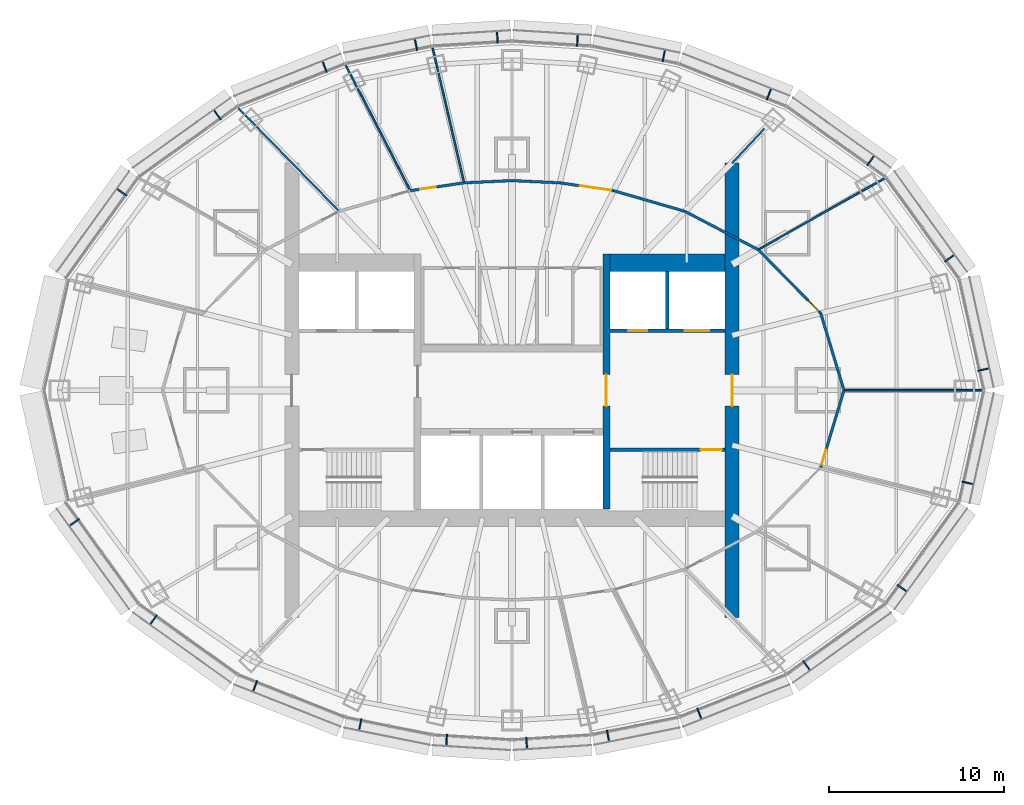
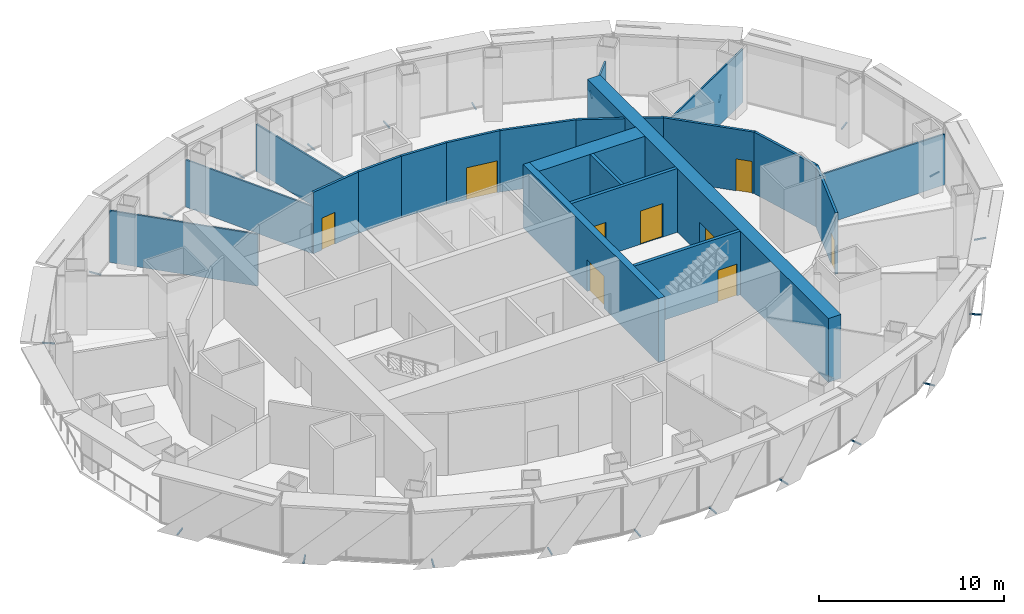
# One storey, part 13 of 16: 22 discrete accessories, 21 walls, 9 doors, 9 openings.
"""IFC4 building model written with IfcOpenShell, lengths in metres."""

from ifc_helpers import new_model, si_unit, direction, frame, frame_2d, origin, origin_2d, place, context, subcontext, project, spatial, rectangle, extrude, material, layer, layer_set, type_object, element, fill, save


model = new_model("IFC4")

# Units and contexts
model_context = context("Model", 3, precision=1e-05, world=origin(), true_north=direction((0.0, 1.0)))
body_context = subcontext(model_context, "Body", "Model", "MODEL_VIEW")
ifc_project = project(units=[si_unit("LENGTHUNIT", "METRE"), si_unit("AREAUNIT", "SQUARE_METRE"), si_unit("VOLUMEUNIT", "CUBIC_METRE"), si_unit("PLANEANGLEUNIT", "RADIAN"), si_unit("MASSUNIT", "GRAM", prefix="KILO")], contexts=[model_context])

# Site, building, storey
site_placement = place(None, origin())
site = spatial("IfcSite", under=ifc_project, at=site_placement, CompositionType="ELEMENT")
building_placement = place(site_placement, origin())
building = spatial("IfcBuilding", under=site, at=building_placement, Name="Lantaw Convention Tower", CompositionType="ELEMENT")
storey_placement = place(building_placement, frame((0.0, 0.0, 232.60009765625)))
storey = spatial("IfcBuildingStorey", under=building, at=storey_placement, Name="L54", CompositionType="ELEMENT", Elevation=232.60009765625)

# Wall
ifc_material_1 = material(Name="Concrete C60/75", Category="concrete")
ifc_layer_1 = layer(ifc_material_1, 1.0)
ifc_layer_set_1 = layer_set([ifc_layer_1], Name="Core wall 1000")
wall_type_1 = type_object("IfcWallType", Name="Core wall 1000", PredefinedType="SHEAR", material=ifc_layer_set_1)
wall_1_placement = place(storey_placement, frame((12.199951171875, 7.300048828125, 0.0), z_axis=(0.0, 0.0, 1.0), x_axis=(-1.0, 0.0, 0.0)))
element("IfcWall", 1, at=wall_1_placement, inside=storey, type_object=wall_type_1, Name="Core wall NE", PredefinedType="SHEAR", context=body_context, shape_type="SweptSolid", body=[
    extrude(rectangle(XDim=6.599853515625, YDim=1.0, at=frame_2d((3.2998046875, 0.0))), origin(), (0.0, 0.0, 1.0), 4.199951171875),
])

# Wall, opening, door
ifc_layer_2 = layer(ifc_material_1, 0.199951171875)
ifc_layer_set_2 = layer_set([ifc_layer_2], Name="Core wall 200")
wall_type_2 = type_object("IfcWallType", Name="Core wall 200", PredefinedType="SHEAR", material=ifc_layer_set_2)
wall_2_placement = place(storey_placement, frame((5.60009765625, -3.39990234375, 0.0), z_axis=(0.0, 0.0, 1.0), x_axis=(1.0, 0.0, 0.0)))
wall_2 = element("IfcWall", 2, at=wall_2_placement, inside=storey, type_object=wall_type_2, Name="Core wall ES", PredefinedType="SHEAR", context=body_context, shape_type="SweptSolid", body=[
    extrude(rectangle(XDim=6.599853515625, YDim=0.199951171875, at=frame_2d((3.2998046875, 0.0))), origin(), (0.0, 0.0, 1.0), 4.199951171875),
])
opening_1_placement = place(wall_2_placement, frame((5.199951171875, 0.0, 0.0)))
opening_1 = element("IfcOpeningElement", 3, at=opening_1_placement, cuts=wall_2, Name="Opening L54.03", PredefinedType="OPENING", context=body_context, shape_type="SweptSolid", body=[
    extrude(rectangle(XDim=1.199951171875, YDim=2.10009765625, at=frame_2d((0.60009765625, 1.050048828125))), frame((0.0, 0.10986328125, 0.0), z_axis=(0.0, -1.0, 0.0), x_axis=(1.0, 0.0, 0.0)), (0.0, 0.0, 1.0), 0.219970703125),
])
ifc_material_2 = material(Name="Steel, fire rated", Category="steel")
door_type_1 = type_object("IfcDoorType", Name="Stair door FD90", OperationType="SINGLE_SWING_RIGHT", PredefinedType="DOOR", material=ifc_material_2)
door_1_placement = place(opening_1_placement, origin())
door_1 = element("IfcDoor", 4, at=door_1_placement, inside=storey, type_object=door_type_1, Name="Exit stair door", OperationType="SINGLE_SWING_RIGHT", OverallHeight=2.10009765625, OverallWidth=1.199951171875, PredefinedType="DOOR", context=body_context, shape_type="SweptSolid", body=[
    extrude(rectangle(XDim=1.199951171875, YDim=2.10009765625, at=frame_2d((0.60009765625, 1.050048828125))), frame((0.0, 0.02490234375, 0.0), z_axis=(0.0, -1.0, 0.0), x_axis=(1.0, 0.0, 0.0)), (0.0, 0.0, 1.0), 0.050048828125),
])
fill(opening_1, door_1)

ifc_layer_3 = layer(ifc_material_1, 0.39990234375)
ifc_layer_set_3 = layer_set([ifc_layer_3], Name="Core wall 400")
wall_type_3 = type_object("IfcWallType", Name="Core wall 400", PredefinedType="SHEAR", material=ifc_layer_set_3)
wall_3_placement = place(storey_placement, frame((5.39990234375, -6.800048828125, 0.0), z_axis=(0.0, 0.0, 1.0), x_axis=(0.0, 1.0, 0.0)))
wall_3 = element("IfcWall", 5, at=wall_3_placement, inside=storey, type_object=wall_type_3, Name="Core wall XE", PredefinedType="SHEAR", context=body_context, shape_type="SweptSolid", body=[
    extrude(rectangle(XDim=14.60009765625, YDim=0.39990234375, at=frame_2d((7.300048828125, 0.0))), origin(), (0.0, 0.0, 1.0), 4.199951171875),
])
opening_2_placement = place(wall_3_placement, frame((5.89990234375, 0.0, 0.0)))
opening_2 = element("IfcOpeningElement", 6, at=opening_2_placement, cuts=wall_3, Name="Opening L54.01", PredefinedType="OPENING", context=body_context, shape_type="SweptSolid", body=[
    extrude(rectangle(XDim=1.800048828125, YDim=2.10009765625, at=frame_2d((0.89990234375, 1.050048828125))), frame((0.0, 0.2099609375, 0.0), z_axis=(0.0, -1.0, 0.0), x_axis=(1.0, 0.0, 0.0)), (0.0, 0.0, 1.0), 0.419921875),
])
door_type_2 = type_object("IfcDoorType", Name="Lobby double door FD90", OperationType="DOUBLE_DOOR_DOUBLE_SWING", PredefinedType="DOOR", material=ifc_material_2)
door_2_placement = place(opening_2_placement, origin())
door_2 = element("IfcDoor", 7, at=door_2_placement, inside=storey, type_object=door_type_2, Name="Lift lobby door", OperationType="DOUBLE_DOOR_DOUBLE_SWING", OverallHeight=2.10009765625, OverallWidth=1.800048828125, PredefinedType="DOOR", context=body_context, shape_type="SweptSolid", body=[
    extrude(rectangle(XDim=1.800048828125, YDim=2.10009765625, at=frame_2d((0.89990234375, 1.050048828125))), frame((0.0, 0.02490234375, 0.0), z_axis=(0.0, -1.0, 0.0), x_axis=(1.0, 0.0, 0.0)), (0.0, 0.0, 1.0), 0.050048828125),
])
fill(opening_2, door_2)

ifc_layer_4 = layer(ifc_material_1, 0.800048828125)
ifc_layer_set_4 = layer_set([ifc_layer_4], Name="Core wall 800")
wall_type_4 = type_object("IfcWallType", Name="Core wall 800", PredefinedType="SHEAR", material=ifc_layer_set_4)
wall_4_placement = place(storey_placement, frame((12.60009765625, -13.0, 0.0), z_axis=(0.0, 0.0, 1.0), x_axis=(0.0, 1.0, 0.0)))
wall_4 = element("IfcWall", 8, at=wall_4_placement, inside=storey, type_object=wall_type_4, Name="Core wall E", PredefinedType="SHEAR", context=body_context, shape_type="SweptSolid", body=[
    extrude(rectangle(XDim=26.0, YDim=0.800048828125, at=frame_2d((13.0, 0.0))), origin(), (0.0, 0.0, 1.0), 4.199951171875),
])
opening_3_placement = place(wall_4_placement, frame((12.10009765625, 0.0, 0.0)))
opening_3 = element("IfcOpeningElement", 9, at=opening_3_placement, cuts=wall_4, Name="Opening L54.05", PredefinedType="OPENING", context=body_context, shape_type="SweptSolid", body=[
    extrude(rectangle(XDim=1.800048828125, YDim=2.10009765625, at=frame_2d((0.89990234375, 1.050048828125))), frame((0.0, 0.409912109375, 0.0), z_axis=(0.0, -1.0, 0.0), x_axis=(1.0, 0.0, 0.0)), (0.0, 0.0, 1.0), 0.820068359375),
])
door_3_placement = place(opening_3_placement, origin())
door_3 = element("IfcDoor", 10, at=door_3_placement, inside=storey, type_object=door_type_2, Name="Firefighting lobby door", OperationType="DOUBLE_DOOR_DOUBLE_SWING", OverallHeight=2.10009765625, OverallWidth=1.800048828125, PredefinedType="DOOR", context=body_context, shape_type="SweptSolid", body=[
    extrude(rectangle(XDim=1.800048828125, YDim=2.10009765625, at=frame_2d((0.89990234375, 1.050048828125))), frame((0.0, 0.02490234375, 0.0), z_axis=(0.0, -1.0, 0.0), x_axis=(1.0, 0.0, 0.0)), (0.0, 0.0, 1.0), 0.050048828125),
])
fill(opening_3, door_3)

# Wall
ifc_material_3 = material(Name="Gypsum board on steel studs, fire rated", Category="steel")
ifc_layer_5 = layer(ifc_material_3, 0.14990234375)
ifc_layer_set_5 = layer_set([ifc_layer_5], Name="Corridor wall 150 EI 60")
wall_type_5 = type_object("IfcWallType", Name="Corridor wall 150 EI 60", PredefinedType="PARTITIONING", material=ifc_layer_set_5)
wall_5_placement = place(storey_placement, frame((19.0, 0.0, 0.0), z_axis=(0.0, 0.0, 1.0), x_axis=(-0.288399048695, 0.957510307366, 0.0)))
element("IfcWall", 11, at=wall_5_placement, inside=storey, type_object=wall_type_5, Name="Corridor wall 150", PredefinedType="PARTITIONING", context=body_context, shape_type="SweptSolid", body=[
    extrude(rectangle(XDim=4.601806640625, YDim=0.14990234375, at=frame_2d((2.30078125, 0.0))), origin(), (0.0, 0.0, 1.0), 4.0498046875),
])

# Wall, opening, door
wall_6_placement = place(storey_placement, frame((17.6728515625, 4.40625, 0.0), z_axis=(0.0, 0.0, 1.0), x_axis=(-0.701111216625, 0.713051934941, 0.0)))
wall_6 = element("IfcWall", 12, at=wall_6_placement, inside=storey, type_object=wall_type_5, Name="Corridor wall 150", PredefinedType="PARTITIONING", context=body_context, shape_type="SweptSolid", body=[
    extrude(rectangle(XDim=5.111572265625, YDim=0.14990234375, at=frame_2d((2.5556640625, 0.0))), origin(), (0.0, 0.0, 1.0), 4.0498046875),
])
opening_4_placement = place(wall_6_placement, frame((0.14990234375, 0.0, 0.0)))
opening_4 = element("IfcOpeningElement", 13, at=opening_4_placement, cuts=wall_6, Name="Opening L54.24", PredefinedType="OPENING", context=body_context, shape_type="SweptSolid", body=[
    extrude(rectangle(XDim=0.89990234375, YDim=2.10009765625, at=frame_2d((0.449951171875, 1.050048828125))), frame((0.0, 0.0849609375, 0.0), z_axis=(0.0, -1.0, 0.0), x_axis=(1.0, 0.0, 0.0)), (0.0, 0.0, 1.0), 0.169921875),
])
door_type_3 = type_object("IfcDoorType", Name="Office door 900 FD30", OperationType="SINGLE_SWING_LEFT", PredefinedType="DOOR", material=ifc_material_2)
door_4_placement = place(opening_4_placement, origin())
door_4 = element("IfcDoor", 14, at=door_4_placement, inside=storey, type_object=door_type_3, Name="Meeting room door", OperationType="SINGLE_SWING_LEFT", OverallHeight=2.10009765625, OverallWidth=0.89990234375, PredefinedType="DOOR", context=body_context, shape_type="SweptSolid", body=[
    extrude(rectangle(XDim=0.89990234375, YDim=2.10009765625, at=frame_2d((0.449951171875, 1.050048828125))), frame((0.0, 0.02490234375, 0.0), z_axis=(0.0, -1.0, 0.0), x_axis=(1.0, 0.0, 0.0)), (0.0, 0.0, 1.0), 0.050048828125),
])
fill(opening_4, door_4)

# Walls
wall_7_placement = place(storey_placement, frame((14.089111328125, 8.051025390625, 0.0), z_axis=(0.0, 0.0, 1.0), x_axis=(-0.886174439647, 0.463351769735, 0.0)))
element("IfcWall", 15, at=wall_7_placement, inside=storey, type_object=wall_type_5, Name="Corridor wall 150", PredefinedType="PARTITIONING", context=body_context, shape_type="SweptSolid", body=[
    extrude(rectangle(XDim=4.734619140625, YDim=0.14990234375, at=frame_2d((2.3671875, 0.0))), origin(), (0.0, 0.0, 1.0), 4.0498046875),
])
wall_8_placement = place(storey_placement, frame((9.893310546875, 10.244873046875, 0.0), z_axis=(0.0, 0.0, 1.0), x_axis=(-0.960614838378, 0.27788330696, 0.0)))
element("IfcWall", 16, at=wall_8_placement, inside=storey, type_object=wall_type_5, Name="Corridor wall 150", PredefinedType="PARTITIONING", context=body_context, shape_type="SweptSolid", body=[
    extrude(rectangle(XDim=4.239990234375, YDim=0.14990234375, at=frame_2d((2.1201171875, 0.0))), origin(), (0.0, 0.0, 1.0), 4.0498046875),
])

# Wall, opening, door
wall_9_placement = place(storey_placement, frame((5.8203125, 11.423095703125, 0.0), z_axis=(0.0, 0.0, 1.0), x_axis=(-0.989421822189, 0.145067080265, 0.0)))
wall_9 = element("IfcWall", 17, at=wall_9_placement, inside=storey, type_object=wall_type_5, Name="Corridor wall 150", PredefinedType="PARTITIONING", context=body_context, shape_type="SweptSolid", body=[
    extrude(rectangle(XDim=3.11181640625, YDim=0.14990234375, at=frame_2d((1.555908203125, 0.0))), origin(), (0.0, 0.0, 1.0), 4.0498046875),
])
opening_5_placement = place(wall_9_placement, frame((0.14990234375, 0.0, 0.0)))
opening_5 = element("IfcOpeningElement", 18, at=opening_5_placement, cuts=wall_9, Name="Opening L54.25", PredefinedType="OPENING", context=body_context, shape_type="SweptSolid", body=[
    extrude(rectangle(XDim=1.800048828125, YDim=2.10009765625, at=frame_2d((0.89990234375, 1.050048828125))), frame((0.0, 0.0849609375, 0.0), z_axis=(0.0, -1.0, 0.0), x_axis=(1.0, 0.0, 0.0)), (0.0, 0.0, 1.0), 0.169921875),
])
door_type_4 = type_object("IfcDoorType", Name="Office double door 1800 FD30", OperationType="DOUBLE_DOOR_DOUBLE_SWING", PredefinedType="DOOR", material=ifc_material_2)
door_5_placement = place(opening_5_placement, origin())
door_5 = element("IfcDoor", 19, at=door_5_placement, inside=storey, type_object=door_type_4, Name="Open office door", OperationType="DOUBLE_DOOR_DOUBLE_SWING", OverallHeight=2.10009765625, OverallWidth=1.800048828125, PredefinedType="DOOR", context=body_context, shape_type="SweptSolid", body=[
    extrude(rectangle(XDim=1.800048828125, YDim=2.10009765625, at=frame_2d((0.89990234375, 1.050048828125))), frame((0.0, 0.02490234375, 0.0), z_axis=(0.0, -1.0, 0.0), x_axis=(1.0, 0.0, 0.0)), (0.0, 0.0, 1.0), 0.050048828125),
])
fill(opening_5, door_5)

# Walls
for number, where, z_axis, x_axis, name in (
    (20, (2.741455078125, 11.87451171875, 0.0), (0.0, 0.0, 1.0), (-0.998953998629, 0.045726454297, 0.0), "Corridor wall 150"),
    (21, (0.0, 12.0, 0.0), (0.0, 0.0, 1.0), (-0.998953998629, -0.045726454297, 0.0), "Corridor wall 150"),
):
    element("IfcWall", number, at=place(storey_placement, frame(where, z_axis=z_axis, x_axis=x_axis)), inside=storey, type_object=wall_type_5, Name=name, PredefinedType="PARTITIONING", context=body_context, shape_type="SweptSolid", body=[
        extrude(rectangle(XDim=2.744384765625, YDim=0.14990234375, at=frame_2d((1.3720703125, 0.0))), origin(), (0.0, 0.0, 1.0), 4.0498046875),
    ])

# Wall, opening, door
wall_10_placement = place(storey_placement, frame((-2.741455078125, 11.87451171875, 0.0), z_axis=(0.0, 0.0, 1.0), x_axis=(-0.989421822189, -0.145067080265, 0.0)))
wall_10 = element("IfcWall", 22, at=wall_10_placement, inside=storey, type_object=wall_type_5, Name="Corridor wall 150", PredefinedType="PARTITIONING", context=body_context, shape_type="SweptSolid", body=[
    extrude(rectangle(XDim=3.11181640625, YDim=0.14990234375, at=frame_2d((1.555908203125, 0.0))), origin(), (0.0, 0.0, 1.0), 4.0498046875),
])
opening_6_placement = place(wall_10_placement, frame((1.636962890625, 0.0, 0.0)))
opening_6 = element("IfcOpeningElement", 23, at=opening_6_placement, cuts=wall_10, Name="Opening L54.26", PredefinedType="OPENING", context=body_context, shape_type="SweptSolid", body=[
    extrude(rectangle(XDim=0.89990234375, YDim=2.10009765625, at=frame_2d((0.449951171875, 1.050048828125))), frame((0.0, 0.0849609375, 0.0), z_axis=(0.0, -1.0, 0.0), x_axis=(1.0, 0.0, 0.0)), (0.0, 0.0, 1.0), 0.169921875),
])
door_6_placement = place(opening_6_placement, origin())
door_6 = element("IfcDoor", 24, at=door_6_placement, inside=storey, type_object=door_type_3, Name="Library door", OperationType="SINGLE_SWING_LEFT", OverallHeight=2.10009765625, OverallWidth=0.89990234375, PredefinedType="DOOR", context=body_context, shape_type="SweptSolid", body=[
    extrude(rectangle(XDim=0.89990234375, YDim=2.10009765625, at=frame_2d((0.449951171875, 1.050048828125))), frame((0.0, 0.02490234375, 0.0), z_axis=(0.0, -1.0, 0.0), x_axis=(1.0, 0.0, 0.0)), (0.0, 0.0, 1.0), 0.050048828125),
])
fill(opening_6, door_6)

wall_11_placement = place(storey_placement, frame((17.6728515625, -4.40625, 0.0), z_axis=(0.0, 0.0, 1.0), x_axis=(0.288399048695, 0.957510307366, 0.0)))
wall_11 = element("IfcWall", 25, at=wall_11_placement, inside=storey, type_object=wall_type_5, Name="Corridor wall 150", PredefinedType="PARTITIONING", context=body_context, shape_type="SweptSolid", body=[
    extrude(rectangle(XDim=4.601806640625, YDim=0.14990234375, at=frame_2d((2.30078125, 0.0))), origin(), (0.0, 0.0, 1.0), 4.0498046875),
])
opening_7_placement = place(wall_11_placement, frame((0.14990234375, 0.0, 0.0)))
opening_7 = element("IfcOpeningElement", 26, at=opening_7_placement, cuts=wall_11, Name="Opening L54.23", PredefinedType="OPENING", context=body_context, shape_type="SweptSolid", body=[
    extrude(rectangle(XDim=0.89990234375, YDim=2.10009765625, at=frame_2d((0.449951171875, 1.050048828125))), frame((0.0, 0.0849609375, 0.0), z_axis=(0.0, -1.0, 0.0), x_axis=(1.0, 0.0, 0.0)), (0.0, 0.0, 1.0), 0.169921875),
])
door_7_placement = place(opening_7_placement, origin())
door_7 = element("IfcDoor", 27, at=door_7_placement, inside=storey, type_object=door_type_3, Name="Private office door", OperationType="SINGLE_SWING_LEFT", OverallHeight=2.10009765625, OverallWidth=0.89990234375, PredefinedType="DOOR", context=body_context, shape_type="SweptSolid", body=[
    extrude(rectangle(XDim=0.89990234375, YDim=2.10009765625, at=frame_2d((0.449951171875, 1.050048828125))), frame((0.0, 0.02490234375, 0.0), z_axis=(0.0, -1.0, 0.0), x_axis=(1.0, 0.0, 0.0)), (0.0, 0.0, 1.0), 0.050048828125),
])
fill(opening_7, door_7)

# Walls
ifc_material_4 = material(Name="Gypsum board on steel studs, acoustic", Category="steel")
ifc_layer_6 = layer(ifc_material_4, 0.10009765625)
ifc_layer_set_6 = layer_set([ifc_layer_6], Name="Office partition 100")
wall_type_6 = type_object("IfcWallType", Name="Office partition 100", PredefinedType="PARTITIONING", material=ifc_layer_set_6)
wall_12_placement = place(storey_placement, frame((26.944091796875, 0.0, 0.0), z_axis=(0.0, 0.0, 1.0), x_axis=(-1.0, 0.0, 0.0)))
element("IfcWall", 28, at=wall_12_placement, inside=storey, type_object=wall_type_6, Name="Office partition 100", PredefinedType="PARTITIONING", context=body_context, shape_type="SweptSolid", body=[
    extrude(rectangle(XDim=7.944091796875, YDim=0.10009765625, at=frame_2d((3.97216796875, 0.0))), origin(), (0.0, 0.0, 1.0), 3.348876953125),
])
wall_13_placement = place(storey_placement, frame((21.3583984375, 12.149658203125, 0.0), z_axis=(0.0, 0.0, 1.0), x_axis=(-0.871080529249, -0.491140215786, 0.0)))
element("IfcWall", 29, at=wall_13_placement, inside=storey, type_object=wall_type_6, Name="Office partition 100", PredefinedType="PARTITIONING", context=body_context, shape_type="SweptSolid", body=[
    extrude(rectangle(XDim=8.34521484375, YDim=0.10009765625, at=frame_2d((4.172607421875, 0.0))), origin(), (0.0, 0.0, 1.0), 3.524169921875),
])
wall_14_placement = place(storey_placement, frame((-4.5556640625, 19.65673828125, 0.0), z_axis=(0.0, 0.0, 1.0), x_axis=(0.227034513848, -0.973886712879, 0.0)))
element("IfcWall", 30, at=wall_14_placement, inside=storey, type_object=wall_type_6, Name="Office partition 100", PredefinedType="PARTITIONING", context=body_context, shape_type="SweptSolid", body=[
    extrude(rectangle(XDim=7.990966796875, YDim=0.10009765625, at=frame_2d((3.99560546875, 0.0))), origin(), (0.0, 0.0, 1.0), 3.107666015625),
])
wall_15_placement = place(storey_placement, frame((-9.539306640625, 18.650390625, 0.0), z_axis=(0.0, 0.0, 1.0), x_axis=(0.457552286462, -0.88918271753, 0.0)))
element("IfcWall", 31, at=wall_15_placement, inside=storey, type_object=wall_type_6, Name="Office partition 100", PredefinedType="PARTITIONING", context=body_context, shape_type="SweptSolid", body=[
    extrude(rectangle(XDim=8.1279296875, YDim=0.10009765625, at=frame_2d((4.06396484375, 0.0))), origin(), (0.0, 0.0, 1.0), 3.107666015625),
])
wall_16_placement = place(storey_placement, frame((-15.709228515625, 16.198974609375, 0.0), z_axis=(0.0, 0.0, 1.0), x_axis=(0.69875697861, -0.715359129978, 0.0)))
element("IfcWall", 32, at=wall_16_placement, inside=storey, type_object=wall_type_6, Name="Office partition 100", PredefinedType="PARTITIONING", context=body_context, shape_type="SweptSolid", body=[
    extrude(rectangle(XDim=8.3232421875, YDim=0.10009765625, at=frame_2d((4.16162109375, 0.0))), origin(), (0.0, 0.0, 1.0), 3.409912109375),
])
wall_17_placement = place(storey_placement, frame((12.60009765625, 13.0, 0.0), z_axis=(0.0, 0.0, 1.0), x_axis=(0.682434118301, 0.730947107648, 0.0)))
element("IfcWall", 33, at=wall_17_placement, inside=storey, type_object=wall_type_6, Name="Office partition 100", PredefinedType="PARTITIONING", context=body_context, shape_type="SweptSolid", body=[
    extrude(rectangle(XDim=2.702392578125, YDim=0.10009765625, at=frame_2d((1.35107421875, 0.0))), origin(), (0.0, 0.0, 1.0), 3.409912109375),
])

# Wall, openings, doors
ifc_material_5 = material(Name="Concrete blockwork, fire rated", Category="masonry")
ifc_layer_7 = layer(ifc_material_5, 0.199951171875)
ifc_layer_set_7 = layer_set([ifc_layer_7], Name="Shaft wall 200")
wall_type_7 = type_object("IfcWallType", Name="Shaft wall 200", PredefinedType="SOLIDWALL", material=ifc_layer_set_7)
wall_18_placement = place(storey_placement, frame((12.199951171875, 3.39990234375, 0.0), z_axis=(0.0, 0.0, 1.0), x_axis=(-1.0, 0.0, 0.0)))
wall_18 = element("IfcWall", 34, at=wall_18_placement, inside=storey, type_object=wall_type_7, Name="Shaft wall EN", PredefinedType="SOLIDWALL", context=body_context, shape_type="SweptSolid", body=[
    extrude(rectangle(XDim=6.599853515625, YDim=0.199951171875, at=frame_2d((3.2998046875, 0.0))), origin(), (0.0, 0.0, 1.0), 4.199951171875),
])
opening_8_placement = place(wall_18_placement, frame((4.449951171875, 0.0, 0.0)))
opening_8 = element("IfcOpeningElement", 35, at=opening_8_placement, cuts=wall_18, Name="Opening L54.12", PredefinedType="OPENING", context=body_context, shape_type="SweptSolid", body=[
    extrude(rectangle(XDim=1.10009765625, YDim=2.199951171875, at=frame_2d((0.550048828125, 1.10009765625))), frame((0.0, 0.10986328125, 0.0), z_axis=(0.0, -1.0, 0.0), x_axis=(1.0, 0.0, 0.0)), (0.0, 0.0, 1.0), 0.219970703125),
])
opening_9_placement = place(wall_18_placement, frame((0.89990234375, 0.0, 0.0)))
opening_9 = element("IfcOpeningElement", 36, at=opening_9_placement, cuts=wall_18, Name="Opening L54.13", PredefinedType="OPENING", context=body_context, shape_type="SweptSolid", body=[
    extrude(rectangle(XDim=1.39990234375, YDim=2.199951171875, at=frame_2d((0.699951171875, 1.10009765625))), frame((0.0, 0.10986328125, 0.0), z_axis=(0.0, -1.0, 0.0), x_axis=(1.0, 0.0, 0.0)), (0.0, 0.0, 1.0), 0.219970703125),
])
ifc_material_6 = material(Name="Stainless steel", Category="steel")
door_type_5 = type_object("IfcDoorType", Name="Lift landing door 1100", OperationType="DOUBLE_DOOR_SLIDING", PredefinedType="DOOR", material=ifc_material_6)
door_8_placement = place(opening_8_placement, origin())
door_8 = element("IfcDoor", 37, at=door_8_placement, inside=storey, type_object=door_type_5, Name="Lift landing door FF2", OperationType="DOUBLE_DOOR_SLIDING", OverallHeight=2.199951171875, OverallWidth=1.10009765625, PredefinedType="DOOR", context=body_context, shape_type="SweptSolid", body=[
    extrude(rectangle(XDim=1.10009765625, YDim=2.199951171875, at=frame_2d((0.550048828125, 1.10009765625))), frame((0.0, 0.02490234375, 0.0), z_axis=(0.0, -1.0, 0.0), x_axis=(1.0, 0.0, 0.0)), (0.0, 0.0, 1.0), 0.050048828125),
])
fill(opening_8, door_8)
door_type_6 = type_object("IfcDoorType", Name="Lift landing door 1400", OperationType="DOUBLE_DOOR_SLIDING", PredefinedType="DOOR", material=ifc_material_6)
door_9_placement = place(opening_9_placement, origin())
door_9 = element("IfcDoor", 38, at=door_9_placement, inside=storey, type_object=door_type_6, Name="Lift landing door SV2", OperationType="DOUBLE_DOOR_SLIDING", OverallHeight=2.199951171875, OverallWidth=1.39990234375, PredefinedType="DOOR", context=body_context, shape_type="SweptSolid", body=[
    extrude(rectangle(XDim=1.39990234375, YDim=2.199951171875, at=frame_2d((0.699951171875, 1.10009765625))), frame((0.0, 0.02490234375, 0.0), z_axis=(0.0, -1.0, 0.0), x_axis=(1.0, 0.0, 0.0)), (0.0, 0.0, 1.0), 0.050048828125),
])
fill(opening_9, door_9)

# Wall
wall_19_placement = place(storey_placement, frame((8.89990234375, 3.5, 0.0), z_axis=(0.0, 0.0, 1.0), x_axis=(0.0, 1.0, 0.0)))
element("IfcWall", 39, at=wall_19_placement, inside=storey, type_object=wall_type_7, Name="Shaft wall ED", PredefinedType="SOLIDWALL", context=body_context, shape_type="SweptSolid", body=[
    extrude(rectangle(XDim=3.300048828125, YDim=0.199951171875, at=frame_2d((1.64990234375, 0.0))), origin(), (0.0, 0.0, 1.0), 4.199951171875),
])

# Discrete accessories
for number, where, z_axis, x_axis, name in (
    (40, (27.002197265625, 1.189453125, -0.115234375), (0.0, 0.0, 1.0), (-0.215891333626, 0.976417396437, 0.0), "Screen bracket"),
    (41, (25.05419921875, 7.564453125, -0.115234375), (0.0, 0.0, 1.0), (-0.585157643865, 0.810919559405, 0.0), "Screen bracket"),
    (42, (20.524169921875, 13.14453125, -0.115234375), (0.0, 0.0, 1.0), (-0.813672540482, 0.581323487281, 0.0), "Screen bracket"),
    (43, (14.707763671875, 16.94140625, -0.115234375), (0.0, 0.0, 1.0), (-0.929761533743, 0.368162315252, 0.0), "Screen bracket"),
    (44, (8.68896484375, 19.145751953125, -0.115234375), (0.0, 0.0, 1.0), (-0.980366679695, 0.197183095987, 0.0), "Screen bracket"),
    (45, (3.743896484375, 20.024169921875, -0.115234375), (0.0, 0.0, 1.0), (-0.998028774865, 0.062757983884, 0.0), "Screen bracket"),
    (46, (-0.83984375, 20.206787109375, -0.115234375), (0.0, 0.0, 1.0), (-0.998028774865, -0.062757983884, 0.0), "Screen bracket"),
    (47, (-5.49853515625, 19.78759765625, -0.115234375), (0.0, 0.0, 1.0), (-0.980366679695, -0.197183095987, 0.0), "Screen bracket"),
    (48, (-10.7255859375, 18.518310546875, -0.115234375), (0.0, 0.0, 1.0), (-0.929761533743, -0.368162315252, 0.0), "Screen bracket"),
    (49, (-16.863525390625, 15.759765625, -0.115234375), (0.0, 0.0, 1.0), (-0.813672540482, -0.581323487281, 0.0), "Screen bracket"),
    (50, (-22.333251953125, 11.3349609375, -0.115234375), (0.0, 0.0, 1.0), (-0.585157643865, -0.810919559405, 0.0), "Screen bracket"),
    (51, (-25.05419921875, -7.564453125, -0.115234375), (0.0, 0.0, 1.0), (0.585157643865, -0.810919559405, 0.0), "Screen bracket"),
    (52, (-20.524169921875, -13.14453125, -0.115234375), (0.0, 0.0, 1.0), (0.813672540482, -0.581323487281, 0.0), "Screen bracket"),
    (53, (-14.707763671875, -16.94140625, -0.115234375), (0.0, 0.0, 1.0), (0.929761533743, -0.368162315252, 0.0), "Screen bracket"),
    (54, (-8.68896484375, -19.145751953125, -0.115234375), (0.0, 0.0, 1.0), (0.980366679695, -0.197183095987, 0.0), "Screen bracket"),
    (55, (-3.743896484375, -20.024169921875, -0.115234375), (0.0, 0.0, 1.0), (0.998028774865, -0.062757983884, 0.0), "Screen bracket"),
    (56, (0.83984375, -20.206787109375, -0.115234375), (0.0, 0.0, 1.0), (0.998028774865, 0.062757983884, 0.0), "Screen bracket"),
    (57, (5.49853515625, -19.78759765625, -0.115234375), (0.0, 0.0, 1.0), (0.980366679695, 0.197183095987, 0.0), "Screen bracket"),
    (58, (10.7255859375, -18.518310546875, -0.115234375), (0.0, 0.0, 1.0), (0.929761533743, 0.368162315252, 0.0), "Screen bracket"),
    (59, (16.863525390625, -15.759765625, -0.115234375), (0.0, 0.0, 1.0), (0.813672540482, 0.581323487281, 0.0), "Screen bracket"),
    (60, (22.333251953125, -11.3349609375, -0.115234375), (0.0, 0.0, 1.0), (0.585157643865, 0.810919559405, 0.0), "Screen bracket"),
    (61, (26.0927734375, -5.302490234375, -0.115234375), (0.0, 0.0, 1.0), (0.215891333626, 0.976417396437, 0.0), "Screen bracket"),
):
    element("IfcDiscreteAccessory", number, at=place(storey_placement, frame(where, z_axis=z_axis, x_axis=x_axis)), inside=storey, Name=name, PredefinedType="BRACKET", context=body_context, shape_type="SweptSolid", body=[
        extrude(rectangle(XDim=0.080078125, YDim=0.68798828125, at=origin_2d()), origin(), (0.0, 0.0, 1.0), 0.080078125),
    ])

save(model, "model.ifc")
